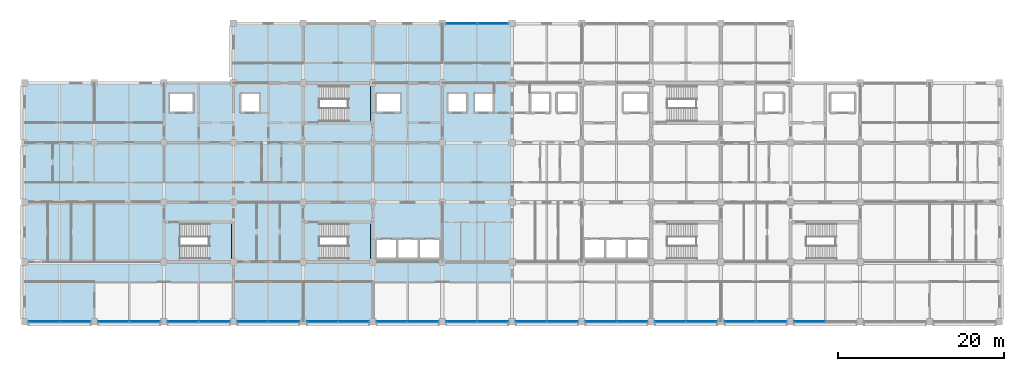
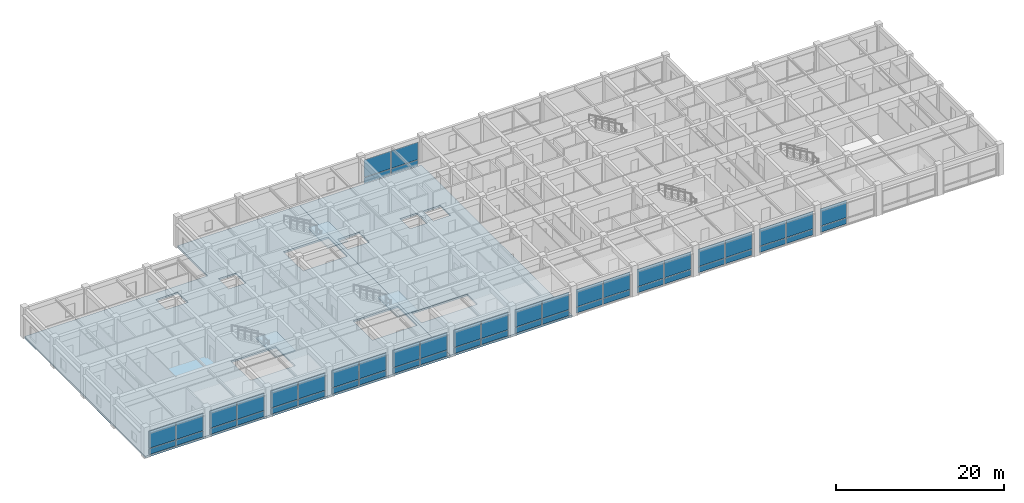
# One storey, part 10 of 30: 50 plates, 5 slabs, 16 elements without a shape of their own.
"""IFC4 building model written with IfcOpenShell, lengths in metres."""

from ifc_helpers import new_model, si_unit, direction, frame, origin, origin_2d, place, context, subcontext, project, spatial, polyline, rectangle, outline, extrude, material, layer, layer_set, type_object, element, aggregate, save


model = new_model("IFC4")

# Units and contexts
model_context = context("Model", 3, precision=1e-05, world=origin(), true_north=direction((0.0, 1.0)))
body_context = subcontext(model_context, "Body", "Model", "MODEL_VIEW")
ifc_project = project(units=[si_unit("LENGTHUNIT", "METRE"), si_unit("AREAUNIT", "SQUARE_METRE"), si_unit("VOLUMEUNIT", "CUBIC_METRE"), si_unit("PLANEANGLEUNIT", "RADIAN"), si_unit("MASSUNIT", "GRAM", prefix="KILO")], contexts=[model_context])

# Site, building, storey
site_placement = place(None, origin())
site = spatial("IfcSite", under=ifc_project, at=site_placement, CompositionType="ELEMENT")
building_placement = place(site_placement, origin())
building = spatial("IfcBuilding", under=site, at=building_placement, Name="Chengyuan Square Courthouse", CompositionType="ELEMENT")
storey_placement = place(building_placement, frame((0.0, 0.0, 26.10009765625)))
storey = spatial("IfcBuildingStorey", under=building, at=storey_placement, Name="L06", CompositionType="ELEMENT", Elevation=26.10009765625)

# Curtain wall, plates
ifc_material_1 = material(Name="Unitised Aluminium and Triple Low-E Glass", Category="aluminium")
ifc_layer_1 = layer(ifc_material_1, 0.219970703125)
ifc_layer_set_1 = layer_set([ifc_layer_1], Name="Unitised Aluminium and Triple Low-E Glass")
curtain_wall_type = type_object("IfcCurtainWallType", Name="CW-16", PredefinedType="USERDEFINED", material=ifc_layer_set_1)
curtain_wall_1_placement = place(storey_placement, origin())
curtain_wall_1 = element("IfcCurtainWall", 1, at=curtain_wall_1_placement, inside=storey, type_object=curtain_wall_type, Name="Unitised Curtain Wall CW-L06-183", ObjectType="UNITISED CURTAIN WALL", PredefinedType="USERDEFINED")
ifc_material_2 = material(Name="Triple Low-E Insulating Glass", Category="glass")
ifc_layer_2 = layer(ifc_material_2, 0.052001953125)
ifc_layer_set_2 = layer_set([ifc_layer_2], Name="Triple Low-E Insulating Glass")
plate_type = type_object("IfcPlateType", Name="CWP-04", PredefinedType="CURTAIN_PANEL", material=ifc_layer_set_2)
plate_1_placement = place(storey_placement, frame((27.52001953125, 79.199951171875, 0.079833984375), z_axis=(0.0, 0.0, 1.0), x_axis=(1.0, 0.0, 0.0)))
plate_1 = element("IfcPlate", 2, at=plate_1_placement, type_object=plate_type, Name="CW-16 panel 1.1", PredefinedType="CURTAIN_PANEL", context=body_context, shape_type="SweptSolid", body=[
    extrude(rectangle(XDim=3.679931640625, YDim=0.052001953125, at=origin_2d()), origin(), (0.0, 0.0, 1.0), 0.830078125),
])
plate_2_placement = place(storey_placement, frame((27.52001953125, 79.199951171875, 0.989990234375), z_axis=(0.0, 0.0, 1.0), x_axis=(1.0, 0.0, 0.0)))
plate_2 = element("IfcPlate", 3, at=plate_2_placement, type_object=plate_type, Name="CW-16 panel 1.2", PredefinedType="CURTAIN_PANEL", context=body_context, shape_type="SweptSolid", body=[
    extrude(rectangle(XDim=3.679931640625, YDim=0.052001953125, at=origin_2d()), origin(), (0.0, 0.0, 1.0), 2.52001953125),
])
plate_3_placement = place(storey_placement, frame((31.280029296875, 79.199951171875, 0.079833984375), z_axis=(0.0, 0.0, 1.0), x_axis=(1.0, 0.0, 0.0)))
plate_3 = element("IfcPlate", 4, at=plate_3_placement, type_object=plate_type, Name="CW-16 panel 2.1", PredefinedType="CURTAIN_PANEL", context=body_context, shape_type="SweptSolid", body=[
    extrude(rectangle(XDim=3.679931640625, YDim=0.052001953125, at=origin_2d()), origin(), (0.0, 0.0, 1.0), 0.830078125),
])
plate_4_placement = place(storey_placement, frame((31.280029296875, 79.199951171875, 0.989990234375), z_axis=(0.0, 0.0, 1.0), x_axis=(1.0, 0.0, 0.0)))
plate_4 = element("IfcPlate", 5, at=plate_4_placement, type_object=plate_type, Name="CW-16 panel 2.2", PredefinedType="CURTAIN_PANEL", context=body_context, shape_type="SweptSolid", body=[
    extrude(rectangle(XDim=3.679931640625, YDim=0.052001953125, at=origin_2d()), origin(), (0.0, 0.0, 1.0), 2.52001953125),
])
aggregate(curtain_wall_1, [plate_1, plate_2, plate_3, plate_4])

curtain_wall_2_placement = place(storey_placement, origin())
curtain_wall_2 = element("IfcCurtainWall", 6, at=curtain_wall_2_placement, inside=storey, type_object=curtain_wall_type, Name="Unitised Curtain Wall CW-L06-184", ObjectType="UNITISED CURTAIN WALL", PredefinedType="USERDEFINED")
plate_5_placement = place(storey_placement, frame((35.919921875, 79.199951171875, 0.079833984375), z_axis=(0.0, 0.0, 1.0), x_axis=(1.0, 0.0, 0.0)))
plate_5 = element("IfcPlate", 7, at=plate_5_placement, type_object=plate_type, Name="CW-16 panel 1.1", PredefinedType="CURTAIN_PANEL", context=body_context, shape_type="SweptSolid", body=[
    extrude(rectangle(XDim=3.679931640625, YDim=0.052001953125, at=origin_2d()), origin(), (0.0, 0.0, 1.0), 0.830078125),
])
plate_6_placement = place(storey_placement, frame((35.919921875, 79.199951171875, 0.989990234375), z_axis=(0.0, 0.0, 1.0), x_axis=(1.0, 0.0, 0.0)))
plate_6 = element("IfcPlate", 8, at=plate_6_placement, type_object=plate_type, Name="CW-16 panel 1.2", PredefinedType="CURTAIN_PANEL", context=body_context, shape_type="SweptSolid", body=[
    extrude(rectangle(XDim=3.679931640625, YDim=0.052001953125, at=origin_2d()), origin(), (0.0, 0.0, 1.0), 2.52001953125),
])
plate_7_placement = place(storey_placement, frame((39.679931640625, 79.199951171875, 0.079833984375), z_axis=(0.0, 0.0, 1.0), x_axis=(1.0, 0.0, 0.0)))
plate_7 = element("IfcPlate", 9, at=plate_7_placement, type_object=plate_type, Name="CW-16 panel 2.1", PredefinedType="CURTAIN_PANEL", context=body_context, shape_type="SweptSolid", body=[
    extrude(rectangle(XDim=3.679931640625, YDim=0.052001953125, at=origin_2d()), origin(), (0.0, 0.0, 1.0), 0.830078125),
])
plate_8_placement = place(storey_placement, frame((39.679931640625, 79.199951171875, 0.989990234375), z_axis=(0.0, 0.0, 1.0), x_axis=(1.0, 0.0, 0.0)))
plate_8 = element("IfcPlate", 10, at=plate_8_placement, type_object=plate_type, Name="CW-16 panel 2.2", PredefinedType="CURTAIN_PANEL", context=body_context, shape_type="SweptSolid", body=[
    extrude(rectangle(XDim=3.679931640625, YDim=0.052001953125, at=origin_2d()), origin(), (0.0, 0.0, 1.0), 2.52001953125),
])
aggregate(curtain_wall_2, [plate_5, plate_6, plate_7, plate_8])

curtain_wall_3_placement = place(storey_placement, origin())
curtain_wall_3 = element("IfcCurtainWall", 11, at=curtain_wall_3_placement, inside=storey, type_object=curtain_wall_type, Name="Unitised Curtain Wall CW-L06-185", ObjectType="UNITISED CURTAIN WALL", PredefinedType="USERDEFINED")
plate_9_placement = place(storey_placement, frame((44.320068359375, 79.199951171875, 0.079833984375), z_axis=(0.0, 0.0, 1.0), x_axis=(1.0, 0.0, 0.0)))
plate_9 = element("IfcPlate", 12, at=plate_9_placement, type_object=plate_type, Name="CW-16 panel 1.1", PredefinedType="CURTAIN_PANEL", context=body_context, shape_type="SweptSolid", body=[
    extrude(rectangle(XDim=3.679931640625, YDim=0.052001953125, at=origin_2d()), origin(), (0.0, 0.0, 1.0), 0.830078125),
])
plate_10_placement = place(storey_placement, frame((44.320068359375, 79.199951171875, 0.989990234375), z_axis=(0.0, 0.0, 1.0), x_axis=(1.0, 0.0, 0.0)))
plate_10 = element("IfcPlate", 13, at=plate_10_placement, type_object=plate_type, Name="CW-16 panel 1.2", PredefinedType="CURTAIN_PANEL", context=body_context, shape_type="SweptSolid", body=[
    extrude(rectangle(XDim=3.679931640625, YDim=0.052001953125, at=origin_2d()), origin(), (0.0, 0.0, 1.0), 2.52001953125),
])
plate_11_placement = place(storey_placement, frame((48.080078125, 79.199951171875, 0.079833984375), z_axis=(0.0, 0.0, 1.0), x_axis=(1.0, 0.0, 0.0)))
plate_11 = element("IfcPlate", 14, at=plate_11_placement, type_object=plate_type, Name="CW-16 panel 2.1", PredefinedType="CURTAIN_PANEL", context=body_context, shape_type="SweptSolid", body=[
    extrude(rectangle(XDim=3.679931640625, YDim=0.052001953125, at=origin_2d()), origin(), (0.0, 0.0, 1.0), 0.830078125),
])
plate_12_placement = place(storey_placement, frame((48.080078125, 79.199951171875, 0.989990234375), z_axis=(0.0, 0.0, 1.0), x_axis=(1.0, 0.0, 0.0)))
plate_12 = element("IfcPlate", 15, at=plate_12_placement, type_object=plate_type, Name="CW-16 panel 2.2", PredefinedType="CURTAIN_PANEL", context=body_context, shape_type="SweptSolid", body=[
    extrude(rectangle(XDim=3.679931640625, YDim=0.052001953125, at=origin_2d()), origin(), (0.0, 0.0, 1.0), 2.52001953125),
])
aggregate(curtain_wall_3, [plate_9, plate_10, plate_11, plate_12])

curtain_wall_4_placement = place(storey_placement, origin())
curtain_wall_4 = element("IfcCurtainWall", 16, at=curtain_wall_4_placement, inside=storey, type_object=curtain_wall_type, Name="Unitised Curtain Wall CW-L06-186", ObjectType="UNITISED CURTAIN WALL", PredefinedType="USERDEFINED")
plate_13_placement = place(storey_placement, frame((52.719970703125, 79.199951171875, 0.079833984375), z_axis=(0.0, 0.0, 1.0), x_axis=(1.0, 0.0, 0.0)))
plate_13 = element("IfcPlate", 17, at=plate_13_placement, type_object=plate_type, Name="CW-16 panel 1.1", PredefinedType="CURTAIN_PANEL", context=body_context, shape_type="SweptSolid", body=[
    extrude(rectangle(XDim=3.679931640625, YDim=0.052001953125, at=origin_2d()), origin(), (0.0, 0.0, 1.0), 0.830078125),
])
plate_14_placement = place(storey_placement, frame((52.719970703125, 79.199951171875, 0.989990234375), z_axis=(0.0, 0.0, 1.0), x_axis=(1.0, 0.0, 0.0)))
plate_14 = element("IfcPlate", 18, at=plate_14_placement, type_object=plate_type, Name="CW-16 panel 1.2", PredefinedType="CURTAIN_PANEL", context=body_context, shape_type="SweptSolid", body=[
    extrude(rectangle(XDim=3.679931640625, YDim=0.052001953125, at=origin_2d()), origin(), (0.0, 0.0, 1.0), 2.52001953125),
])
plate_15_placement = place(storey_placement, frame((56.47998046875, 79.199951171875, 0.079833984375), z_axis=(0.0, 0.0, 1.0), x_axis=(1.0, 0.0, 0.0)))
plate_15 = element("IfcPlate", 19, at=plate_15_placement, type_object=plate_type, Name="CW-16 panel 2.1", PredefinedType="CURTAIN_PANEL", context=body_context, shape_type="SweptSolid", body=[
    extrude(rectangle(XDim=3.679931640625, YDim=0.052001953125, at=origin_2d()), origin(), (0.0, 0.0, 1.0), 0.830078125),
])
plate_16_placement = place(storey_placement, frame((56.47998046875, 79.199951171875, 0.989990234375), z_axis=(0.0, 0.0, 1.0), x_axis=(1.0, 0.0, 0.0)))
plate_16 = element("IfcPlate", 20, at=plate_16_placement, type_object=plate_type, Name="CW-16 panel 2.2", PredefinedType="CURTAIN_PANEL", context=body_context, shape_type="SweptSolid", body=[
    extrude(rectangle(XDim=3.679931640625, YDim=0.052001953125, at=origin_2d()), origin(), (0.0, 0.0, 1.0), 2.52001953125),
])
aggregate(curtain_wall_4, [plate_13, plate_14, plate_15, plate_16])

curtain_wall_5_placement = place(storey_placement, origin())
curtain_wall_5 = element("IfcCurtainWall", 21, at=curtain_wall_5_placement, inside=storey, type_object=curtain_wall_type, Name="Unitised Curtain Wall CW-L06-187", ObjectType="UNITISED CURTAIN WALL", PredefinedType="USERDEFINED")
plate_17_placement = place(storey_placement, frame((61.1201171875, 79.199951171875, 0.079833984375), z_axis=(0.0, 0.0, 1.0), x_axis=(1.0, 0.0, 0.0)))
plate_17 = element("IfcPlate", 22, at=plate_17_placement, type_object=plate_type, Name="CW-16 panel 1.1", PredefinedType="CURTAIN_PANEL", context=body_context, shape_type="SweptSolid", body=[
    extrude(rectangle(XDim=3.679931640625, YDim=0.052001953125, at=origin_2d()), origin(), (0.0, 0.0, 1.0), 0.830078125),
])
plate_18_placement = place(storey_placement, frame((61.1201171875, 79.199951171875, 0.989990234375), z_axis=(0.0, 0.0, 1.0), x_axis=(1.0, 0.0, 0.0)))
plate_18 = element("IfcPlate", 23, at=plate_18_placement, type_object=plate_type, Name="CW-16 panel 1.2", PredefinedType="CURTAIN_PANEL", context=body_context, shape_type="SweptSolid", body=[
    extrude(rectangle(XDim=3.679931640625, YDim=0.052001953125, at=origin_2d()), origin(), (0.0, 0.0, 1.0), 2.52001953125),
])
plate_19_placement = place(storey_placement, frame((64.8798828125, 79.199951171875, 0.079833984375), z_axis=(0.0, 0.0, 1.0), x_axis=(1.0, 0.0, 0.0)))
plate_19 = element("IfcPlate", 24, at=plate_19_placement, type_object=plate_type, Name="CW-16 panel 2.1", PredefinedType="CURTAIN_PANEL", context=body_context, shape_type="SweptSolid", body=[
    extrude(rectangle(XDim=3.679931640625, YDim=0.052001953125, at=origin_2d()), origin(), (0.0, 0.0, 1.0), 0.830078125),
])
plate_20_placement = place(storey_placement, frame((64.8798828125, 79.199951171875, 0.989990234375), z_axis=(0.0, 0.0, 1.0), x_axis=(1.0, 0.0, 0.0)))
plate_20 = element("IfcPlate", 25, at=plate_20_placement, type_object=plate_type, Name="CW-16 panel 2.2", PredefinedType="CURTAIN_PANEL", context=body_context, shape_type="SweptSolid", body=[
    extrude(rectangle(XDim=3.679931640625, YDim=0.052001953125, at=origin_2d()), origin(), (0.0, 0.0, 1.0), 2.52001953125),
])
aggregate(curtain_wall_5, [plate_17, plate_18, plate_19, plate_20])

curtain_wall_6_placement = place(storey_placement, origin())
curtain_wall_6 = element("IfcCurtainWall", 26, at=curtain_wall_6_placement, inside=storey, type_object=curtain_wall_type, Name="Unitised Curtain Wall CW-L06-188", ObjectType="UNITISED CURTAIN WALL", PredefinedType="USERDEFINED")
plate_21_placement = place(storey_placement, frame((69.52001953125, 79.199951171875, 0.079833984375), z_axis=(0.0, 0.0, 1.0), x_axis=(1.0, 0.0, 0.0)))
plate_21 = element("IfcPlate", 27, at=plate_21_placement, type_object=plate_type, Name="CW-16 panel 1.1", PredefinedType="CURTAIN_PANEL", context=body_context, shape_type="SweptSolid", body=[
    extrude(rectangle(XDim=3.679931640625, YDim=0.052001953125, at=origin_2d()), origin(), (0.0, 0.0, 1.0), 0.830078125),
])
plate_22_placement = place(storey_placement, frame((69.52001953125, 79.199951171875, 0.989990234375), z_axis=(0.0, 0.0, 1.0), x_axis=(1.0, 0.0, 0.0)))
plate_22 = element("IfcPlate", 28, at=plate_22_placement, type_object=plate_type, Name="CW-16 panel 1.2", PredefinedType="CURTAIN_PANEL", context=body_context, shape_type="SweptSolid", body=[
    extrude(rectangle(XDim=3.679931640625, YDim=0.052001953125, at=origin_2d()), origin(), (0.0, 0.0, 1.0), 2.52001953125),
])
plate_23_placement = place(storey_placement, frame((73.280029296875, 79.199951171875, 0.079833984375), z_axis=(0.0, 0.0, 1.0), x_axis=(1.0, 0.0, 0.0)))
plate_23 = element("IfcPlate", 29, at=plate_23_placement, type_object=plate_type, Name="CW-16 panel 2.1", PredefinedType="CURTAIN_PANEL", context=body_context, shape_type="SweptSolid", body=[
    extrude(rectangle(XDim=3.679931640625, YDim=0.052001953125, at=origin_2d()), origin(), (0.0, 0.0, 1.0), 0.830078125),
])
plate_24_placement = place(storey_placement, frame((73.280029296875, 79.199951171875, 0.989990234375), z_axis=(0.0, 0.0, 1.0), x_axis=(1.0, 0.0, 0.0)))
plate_24 = element("IfcPlate", 30, at=plate_24_placement, type_object=plate_type, Name="CW-16 panel 2.2", PredefinedType="CURTAIN_PANEL", context=body_context, shape_type="SweptSolid", body=[
    extrude(rectangle(XDim=3.679931640625, YDim=0.052001953125, at=origin_2d()), origin(), (0.0, 0.0, 1.0), 2.52001953125),
])
aggregate(curtain_wall_6, [plate_21, plate_22, plate_23, plate_24])

curtain_wall_7_placement = place(storey_placement, origin())
curtain_wall_7 = element("IfcCurtainWall", 31, at=curtain_wall_7_placement, inside=storey, type_object=curtain_wall_type, Name="Unitised Curtain Wall CW-L06-189", ObjectType="UNITISED CURTAIN WALL", PredefinedType="USERDEFINED")
plate_25_placement = place(storey_placement, frame((77.919921875, 79.199951171875, 0.079833984375), z_axis=(0.0, 0.0, 1.0), x_axis=(1.0, 0.0, 0.0)))
plate_25 = element("IfcPlate", 32, at=plate_25_placement, type_object=plate_type, Name="CW-16 panel 1.1", PredefinedType="CURTAIN_PANEL", context=body_context, shape_type="SweptSolid", body=[
    extrude(rectangle(XDim=3.679931640625, YDim=0.052001953125, at=origin_2d()), origin(), (0.0, 0.0, 1.0), 0.830078125),
])
plate_26_placement = place(storey_placement, frame((77.919921875, 79.199951171875, 0.989990234375), z_axis=(0.0, 0.0, 1.0), x_axis=(1.0, 0.0, 0.0)))
plate_26 = element("IfcPlate", 33, at=plate_26_placement, type_object=plate_type, Name="CW-16 panel 1.2", PredefinedType="CURTAIN_PANEL", context=body_context, shape_type="SweptSolid", body=[
    extrude(rectangle(XDim=3.679931640625, YDim=0.052001953125, at=origin_2d()), origin(), (0.0, 0.0, 1.0), 2.52001953125),
])
plate_27_placement = place(storey_placement, frame((81.679931640625, 79.199951171875, 0.079833984375), z_axis=(0.0, 0.0, 1.0), x_axis=(1.0, 0.0, 0.0)))
plate_27 = element("IfcPlate", 34, at=plate_27_placement, type_object=plate_type, Name="CW-16 panel 2.1", PredefinedType="CURTAIN_PANEL", context=body_context, shape_type="SweptSolid", body=[
    extrude(rectangle(XDim=3.679931640625, YDim=0.052001953125, at=origin_2d()), origin(), (0.0, 0.0, 1.0), 0.830078125),
])
plate_28_placement = place(storey_placement, frame((81.679931640625, 79.199951171875, 0.989990234375), z_axis=(0.0, 0.0, 1.0), x_axis=(1.0, 0.0, 0.0)))
plate_28 = element("IfcPlate", 35, at=plate_28_placement, type_object=plate_type, Name="CW-16 panel 2.2", PredefinedType="CURTAIN_PANEL", context=body_context, shape_type="SweptSolid", body=[
    extrude(rectangle(XDim=3.679931640625, YDim=0.052001953125, at=origin_2d()), origin(), (0.0, 0.0, 1.0), 2.52001953125),
])
aggregate(curtain_wall_7, [plate_25, plate_26, plate_27, plate_28])

curtain_wall_8_placement = place(storey_placement, origin())
curtain_wall_8 = element("IfcCurtainWall", 36, at=curtain_wall_8_placement, inside=storey, type_object=curtain_wall_type, Name="Unitised Curtain Wall CW-L06-190", ObjectType="UNITISED CURTAIN WALL", PredefinedType="USERDEFINED")
plate_29_placement = place(storey_placement, frame((77.919921875, 115.199951171875, 0.079833984375), z_axis=(0.0, 0.0, 1.0), x_axis=(1.0, 0.0, 0.0)))
plate_29 = element("IfcPlate", 37, at=plate_29_placement, type_object=plate_type, Name="CW-16 panel 1.1", PredefinedType="CURTAIN_PANEL", context=body_context, shape_type="SweptSolid", body=[
    extrude(rectangle(XDim=3.679931640625, YDim=0.052001953125, at=origin_2d()), origin(), (0.0, 0.0, 1.0), 0.830078125),
])
plate_30_placement = place(storey_placement, frame((77.919921875, 115.199951171875, 0.989990234375), z_axis=(0.0, 0.0, 1.0), x_axis=(1.0, 0.0, 0.0)))
plate_30 = element("IfcPlate", 38, at=plate_30_placement, type_object=plate_type, Name="CW-16 panel 1.2", PredefinedType="CURTAIN_PANEL", context=body_context, shape_type="SweptSolid", body=[
    extrude(rectangle(XDim=3.679931640625, YDim=0.052001953125, at=origin_2d()), origin(), (0.0, 0.0, 1.0), 2.52001953125),
])
plate_31_placement = place(storey_placement, frame((81.679931640625, 115.199951171875, 0.079833984375), z_axis=(0.0, 0.0, 1.0), x_axis=(1.0, 0.0, 0.0)))
plate_31 = element("IfcPlate", 39, at=plate_31_placement, type_object=plate_type, Name="CW-16 panel 2.1", PredefinedType="CURTAIN_PANEL", context=body_context, shape_type="SweptSolid", body=[
    extrude(rectangle(XDim=3.679931640625, YDim=0.052001953125, at=origin_2d()), origin(), (0.0, 0.0, 1.0), 0.830078125),
])
plate_32_placement = place(storey_placement, frame((81.679931640625, 115.199951171875, 0.989990234375), z_axis=(0.0, 0.0, 1.0), x_axis=(1.0, 0.0, 0.0)))
plate_32 = element("IfcPlate", 40, at=plate_32_placement, type_object=plate_type, Name="CW-16 panel 2.2", PredefinedType="CURTAIN_PANEL", context=body_context, shape_type="SweptSolid", body=[
    extrude(rectangle(XDim=3.679931640625, YDim=0.052001953125, at=origin_2d()), origin(), (0.0, 0.0, 1.0), 2.52001953125),
])
aggregate(curtain_wall_8, [plate_29, plate_30, plate_31, plate_32])

curtain_wall_9_placement = place(storey_placement, origin())
curtain_wall_9 = element("IfcCurtainWall", 41, at=curtain_wall_9_placement, inside=storey, type_object=curtain_wall_type, Name="Unitised Curtain Wall CW-L06-191", ObjectType="UNITISED CURTAIN WALL", PredefinedType="USERDEFINED")
plate_33_placement = place(storey_placement, frame((86.320068359375, 79.199951171875, 0.079833984375), z_axis=(0.0, 0.0, 1.0), x_axis=(1.0, 0.0, 0.0)))
plate_33 = element("IfcPlate", 42, at=plate_33_placement, type_object=plate_type, Name="CW-16 panel 1.1", PredefinedType="CURTAIN_PANEL", context=body_context, shape_type="SweptSolid", body=[
    extrude(rectangle(XDim=3.679931640625, YDim=0.052001953125, at=origin_2d()), origin(), (0.0, 0.0, 1.0), 0.830078125),
])
plate_34_placement = place(storey_placement, frame((86.320068359375, 79.199951171875, 0.989990234375), z_axis=(0.0, 0.0, 1.0), x_axis=(1.0, 0.0, 0.0)))
plate_34 = element("IfcPlate", 43, at=plate_34_placement, type_object=plate_type, Name="CW-16 panel 1.2", PredefinedType="CURTAIN_PANEL", context=body_context, shape_type="SweptSolid", body=[
    extrude(rectangle(XDim=3.679931640625, YDim=0.052001953125, at=origin_2d()), origin(), (0.0, 0.0, 1.0), 2.52001953125),
])
plate_35_placement = place(storey_placement, frame((90.080078125, 79.199951171875, 0.079833984375), z_axis=(0.0, 0.0, 1.0), x_axis=(1.0, 0.0, 0.0)))
plate_35 = element("IfcPlate", 44, at=plate_35_placement, type_object=plate_type, Name="CW-16 panel 2.1", PredefinedType="CURTAIN_PANEL", context=body_context, shape_type="SweptSolid", body=[
    extrude(rectangle(XDim=3.679931640625, YDim=0.052001953125, at=origin_2d()), origin(), (0.0, 0.0, 1.0), 0.830078125),
])
plate_36_placement = place(storey_placement, frame((90.080078125, 79.199951171875, 0.989990234375), z_axis=(0.0, 0.0, 1.0), x_axis=(1.0, 0.0, 0.0)))
plate_36 = element("IfcPlate", 45, at=plate_36_placement, type_object=plate_type, Name="CW-16 panel 2.2", PredefinedType="CURTAIN_PANEL", context=body_context, shape_type="SweptSolid", body=[
    extrude(rectangle(XDim=3.679931640625, YDim=0.052001953125, at=origin_2d()), origin(), (0.0, 0.0, 1.0), 2.52001953125),
])
aggregate(curtain_wall_9, [plate_33, plate_34, plate_35, plate_36])

curtain_wall_10_placement = place(storey_placement, origin())
curtain_wall_10 = element("IfcCurtainWall", 46, at=curtain_wall_10_placement, inside=storey, type_object=curtain_wall_type, Name="Unitised Curtain Wall CW-L06-192", ObjectType="UNITISED CURTAIN WALL", PredefinedType="USERDEFINED")
plate_37_placement = place(storey_placement, frame((94.719970703125, 79.199951171875, 0.079833984375), z_axis=(0.0, 0.0, 1.0), x_axis=(1.0, 0.0, 0.0)))
plate_37 = element("IfcPlate", 47, at=plate_37_placement, type_object=plate_type, Name="CW-16 panel 1.1", PredefinedType="CURTAIN_PANEL", context=body_context, shape_type="SweptSolid", body=[
    extrude(rectangle(XDim=3.679931640625, YDim=0.052001953125, at=origin_2d()), origin(), (0.0, 0.0, 1.0), 0.830078125),
])
plate_38_placement = place(storey_placement, frame((94.719970703125, 79.199951171875, 0.989990234375), z_axis=(0.0, 0.0, 1.0), x_axis=(1.0, 0.0, 0.0)))
plate_38 = element("IfcPlate", 48, at=plate_38_placement, type_object=plate_type, Name="CW-16 panel 1.2", PredefinedType="CURTAIN_PANEL", context=body_context, shape_type="SweptSolid", body=[
    extrude(rectangle(XDim=3.679931640625, YDim=0.052001953125, at=origin_2d()), origin(), (0.0, 0.0, 1.0), 2.52001953125),
])
plate_39_placement = place(storey_placement, frame((98.47998046875, 79.199951171875, 0.079833984375), z_axis=(0.0, 0.0, 1.0), x_axis=(1.0, 0.0, 0.0)))
plate_39 = element("IfcPlate", 49, at=plate_39_placement, type_object=plate_type, Name="CW-16 panel 2.1", PredefinedType="CURTAIN_PANEL", context=body_context, shape_type="SweptSolid", body=[
    extrude(rectangle(XDim=3.679931640625, YDim=0.052001953125, at=origin_2d()), origin(), (0.0, 0.0, 1.0), 0.830078125),
])
plate_40_placement = place(storey_placement, frame((98.47998046875, 79.199951171875, 0.989990234375), z_axis=(0.0, 0.0, 1.0), x_axis=(1.0, 0.0, 0.0)))
plate_40 = element("IfcPlate", 50, at=plate_40_placement, type_object=plate_type, Name="CW-16 panel 2.2", PredefinedType="CURTAIN_PANEL", context=body_context, shape_type="SweptSolid", body=[
    extrude(rectangle(XDim=3.679931640625, YDim=0.052001953125, at=origin_2d()), origin(), (0.0, 0.0, 1.0), 2.52001953125),
])
aggregate(curtain_wall_10, [plate_37, plate_38, plate_39, plate_40])

curtain_wall_11_placement = place(storey_placement, origin())
curtain_wall_11 = element("IfcCurtainWall", 51, at=curtain_wall_11_placement, inside=storey, type_object=curtain_wall_type, Name="Unitised Curtain Wall CW-L06-194", ObjectType="UNITISED CURTAIN WALL", PredefinedType="USERDEFINED")
plate_41_placement = place(storey_placement, frame((103.1201171875, 79.199951171875, 0.079833984375), z_axis=(0.0, 0.0, 1.0), x_axis=(1.0, 0.0, 0.0)))
plate_41 = element("IfcPlate", 52, at=plate_41_placement, type_object=plate_type, Name="CW-16 panel 1.1", PredefinedType="CURTAIN_PANEL", context=body_context, shape_type="SweptSolid", body=[
    extrude(rectangle(XDim=3.679931640625, YDim=0.052001953125, at=origin_2d()), origin(), (0.0, 0.0, 1.0), 0.830078125),
])
plate_42_placement = place(storey_placement, frame((103.1201171875, 79.199951171875, 0.989990234375), z_axis=(0.0, 0.0, 1.0), x_axis=(1.0, 0.0, 0.0)))
plate_42 = element("IfcPlate", 53, at=plate_42_placement, type_object=plate_type, Name="CW-16 panel 1.2", PredefinedType="CURTAIN_PANEL", context=body_context, shape_type="SweptSolid", body=[
    extrude(rectangle(XDim=3.679931640625, YDim=0.052001953125, at=origin_2d()), origin(), (0.0, 0.0, 1.0), 2.52001953125),
])
plate_43_placement = place(storey_placement, frame((106.8798828125, 79.199951171875, 0.079833984375), z_axis=(0.0, 0.0, 1.0), x_axis=(1.0, 0.0, 0.0)))
plate_43 = element("IfcPlate", 54, at=plate_43_placement, type_object=plate_type, Name="CW-16 panel 2.1", PredefinedType="CURTAIN_PANEL", context=body_context, shape_type="SweptSolid", body=[
    extrude(rectangle(XDim=3.679931640625, YDim=0.052001953125, at=origin_2d()), origin(), (0.0, 0.0, 1.0), 0.830078125),
])
plate_44_placement = place(storey_placement, frame((106.8798828125, 79.199951171875, 0.989990234375), z_axis=(0.0, 0.0, 1.0), x_axis=(1.0, 0.0, 0.0)))
plate_44 = element("IfcPlate", 55, at=plate_44_placement, type_object=plate_type, Name="CW-16 panel 2.2", PredefinedType="CURTAIN_PANEL", context=body_context, shape_type="SweptSolid", body=[
    extrude(rectangle(XDim=3.679931640625, YDim=0.052001953125, at=origin_2d()), origin(), (0.0, 0.0, 1.0), 2.52001953125),
])
aggregate(curtain_wall_11, [plate_41, plate_42, plate_43, plate_44])

curtain_wall_12_placement = place(storey_placement, origin())
curtain_wall_12 = element("IfcCurtainWall", 56, at=curtain_wall_12_placement, inside=storey, type_object=curtain_wall_type, Name="Unitised Curtain Wall CW-L06-195", ObjectType="UNITISED CURTAIN WALL", PredefinedType="USERDEFINED")
plate_45_placement = place(storey_placement, frame((111.52001953125, 79.199951171875, 0.079833984375), z_axis=(0.0, 0.0, 1.0), x_axis=(1.0, 0.0, 0.0)))
plate_45 = element("IfcPlate", 57, at=plate_45_placement, type_object=plate_type, Name="CW-16 panel 1.1", PredefinedType="CURTAIN_PANEL", context=body_context, shape_type="SweptSolid", body=[
    extrude(rectangle(XDim=3.679931640625, YDim=0.052001953125, at=origin_2d()), origin(), (0.0, 0.0, 1.0), 0.830078125),
])
plate_46_placement = place(storey_placement, frame((111.52001953125, 79.199951171875, 0.989990234375), z_axis=(0.0, 0.0, 1.0), x_axis=(1.0, 0.0, 0.0)))
plate_46 = element("IfcPlate", 58, at=plate_46_placement, type_object=plate_type, Name="CW-16 panel 1.2", PredefinedType="CURTAIN_PANEL", context=body_context, shape_type="SweptSolid", body=[
    extrude(rectangle(XDim=3.679931640625, YDim=0.052001953125, at=origin_2d()), origin(), (0.0, 0.0, 1.0), 2.52001953125),
])
plate_47_placement = place(storey_placement, frame((115.280029296875, 79.199951171875, 0.079833984375), z_axis=(0.0, 0.0, 1.0), x_axis=(1.0, 0.0, 0.0)))
plate_47 = element("IfcPlate", 59, at=plate_47_placement, type_object=plate_type, Name="CW-16 panel 2.1", PredefinedType="CURTAIN_PANEL", context=body_context, shape_type="SweptSolid", body=[
    extrude(rectangle(XDim=3.679931640625, YDim=0.052001953125, at=origin_2d()), origin(), (0.0, 0.0, 1.0), 0.830078125),
])
plate_48_placement = place(storey_placement, frame((115.280029296875, 79.199951171875, 0.989990234375), z_axis=(0.0, 0.0, 1.0), x_axis=(1.0, 0.0, 0.0)))
plate_48 = element("IfcPlate", 60, at=plate_48_placement, type_object=plate_type, Name="CW-16 panel 2.2", PredefinedType="CURTAIN_PANEL", context=body_context, shape_type="SweptSolid", body=[
    extrude(rectangle(XDim=3.679931640625, YDim=0.052001953125, at=origin_2d()), origin(), (0.0, 0.0, 1.0), 2.52001953125),
])
aggregate(curtain_wall_12, [plate_45, plate_46, plate_47, plate_48])

curtain_wall_13_placement = place(storey_placement, origin())
curtain_wall_13 = element("IfcCurtainWall", 61, at=curtain_wall_13_placement, inside=storey, type_object=curtain_wall_type, Name="Unitised Curtain Wall CW-L06-197", ObjectType="UNITISED CURTAIN WALL", PredefinedType="USERDEFINED")
plate_49_placement = place(storey_placement, frame((119.919921875, 79.199951171875, 0.079833984375), z_axis=(0.0, 0.0, 1.0), x_axis=(1.0, 0.0, 0.0)))
plate_49 = element("IfcPlate", 62, at=plate_49_placement, type_object=plate_type, Name="CW-16 panel 1.1", PredefinedType="CURTAIN_PANEL", context=body_context, shape_type="SweptSolid", body=[
    extrude(rectangle(XDim=3.679931640625, YDim=0.052001953125, at=origin_2d()), origin(), (0.0, 0.0, 1.0), 0.830078125),
])
plate_50_placement = place(storey_placement, frame((119.919921875, 79.199951171875, 0.989990234375), z_axis=(0.0, 0.0, 1.0), x_axis=(1.0, 0.0, 0.0)))
plate_50 = element("IfcPlate", 63, at=plate_50_placement, type_object=plate_type, Name="CW-16 panel 1.2", PredefinedType="CURTAIN_PANEL", context=body_context, shape_type="SweptSolid", body=[
    extrude(rectangle(XDim=3.679931640625, YDim=0.052001953125, at=origin_2d()), origin(), (0.0, 0.0, 1.0), 2.52001953125),
])
aggregate(curtain_wall_13, [plate_49, plate_50])

# Stair, slab
ifc_material_3 = material(Name="Concrete C40", Category="concrete")
stair_type_1 = type_object("IfcStairType", Name="ST-TYPE-01", PredefinedType="HALF_TURN_STAIR", material=ifc_material_3)
stair_1_placement = place(storey_placement, origin())
stair_1 = element("IfcStair", 64, at=stair_1_placement, inside=storey, type_object=stair_type_1, Name="Smoke-Proof Exit Stair ST-1 (L06 to L07)", PredefinedType="HALF_TURN_STAIR")
ifc_layer_3 = layer(ifc_material_3, 0.179931640625)
ifc_layer_set_3 = layer_set([ifc_layer_3], Name="Concrete C40")
slab_type_1 = type_object("IfcSlabType", Name="SL-LND2", PredefinedType="LANDING", material=ifc_layer_set_3)
slab_1_placement = place(storey_placement, frame((0.0, 0.0, 2.06982421875)))
slab_1 = element("IfcSlab", 65, at=slab_1_placement, type_object=slab_type_1, Name="ST-1 landing 1", PredefinedType="LANDING", context=body_context, shape_type="SweptSolid", body=[
    extrude(outline(polyline([(64.169921875, 103.159912109375), (66.93994140625, 103.159912109375), (66.93994140625, 107.840087890625), (64.169921875, 107.840087890625), (64.169921875, 103.159912109375)])), origin(), (0.0, 0.0, 1.0), 0.18017578125),
])
aggregate(stair_1, [slab_1])

stair_type_2 = type_object("IfcStairType", Name="ST-TYPE-03", PredefinedType="HALF_TURN_STAIR", material=ifc_material_3)
stair_2_placement = place(storey_placement, origin())
stair_2 = element("IfcStair", 66, at=stair_2_placement, inside=storey, type_object=stair_type_2, Name="Smoke-Proof Exit Stair ST-3 (L06 to L07)", PredefinedType="HALF_TURN_STAIR")
slab_2_placement = place(storey_placement, frame((0.0, 0.0, 2.06982421875)))
slab_2 = element("IfcSlab", 67, at=slab_2_placement, type_object=slab_type_1, Name="ST-3 landing 1", PredefinedType="LANDING", context=body_context, shape_type="SweptSolid", body=[
    extrude(outline(polyline([(64.169921875, 86.56005859375), (66.93994140625, 86.56005859375), (66.93994140625, 91.239990234375), (64.169921875, 91.239990234375), (64.169921875, 86.56005859375)])), origin(), (0.0, 0.0, 1.0), 0.18017578125),
])
aggregate(stair_2, [slab_2])

stair_type_3 = type_object("IfcStairType", Name="ST-TYPE-05", PredefinedType="HALF_TURN_STAIR", material=ifc_material_3)
stair_3_placement = place(storey_placement, origin())
stair_3 = element("IfcStair", 68, at=stair_3_placement, inside=storey, type_object=stair_type_3, Name="Smoke-Proof Exit Stair ST-5 (L06 to L07)", PredefinedType="HALF_TURN_STAIR")
slab_3_placement = place(storey_placement, frame((0.0, 0.0, 2.06982421875)))
slab_3 = element("IfcSlab", 69, at=slab_3_placement, type_object=slab_type_1, Name="ST-5 landing 1", PredefinedType="LANDING", context=body_context, shape_type="SweptSolid", body=[
    extrude(outline(polyline([(47.3701171875, 86.56005859375), (50.139892578125, 86.56005859375), (50.139892578125, 91.239990234375), (47.3701171875, 91.239990234375), (47.3701171875, 86.56005859375)])), origin(), (0.0, 0.0, 1.0), 0.18017578125),
])
aggregate(stair_3, [slab_3])

# Slabs
ifc_material_4 = material(Name="Post-tensioned Concrete C50", Category="concrete")
ifc_layer_4 = layer(ifc_material_4, 0.260009765625)
ifc_layer_set_4 = layer_set([ifc_layer_4], Name="Post-tensioned Concrete C50")
slab_type_2 = type_object("IfcSlabType", Name="SL-PT26", PredefinedType="FLOOR", material=ifc_layer_set_4)
slab_4_placement = place(storey_placement, frame((0.0, 0.0, -0.260009765625)))
element("IfcSlab", 70, at=slab_4_placement, inside=storey, type_object=slab_type_2, Name="Suspended Floor Slab SL-L06-01", PredefinedType="FLOOR", context=body_context, shape_type="SweptSolid", body=[
    extrude(outline(polyline([(25.199951171875, 79.199951171875), (25.199951171875, 86.39990234375), (25.199951171875, 93.60009765625), (25.199951171875, 100.800048828125), (25.199951171875, 108.0), (33.60009765625, 108.0), (42.0, 108.0), (50.39990234375, 108.0), (50.39990234375, 115.199951171875), (58.800048828125, 115.199951171875), (67.199951171875, 115.199951171875), (67.199951171875, 79.199951171875), (58.800048828125, 79.199951171875), (50.39990234375, 79.199951171875), (42.0, 79.199951171875), (33.60009765625, 79.199951171875), (25.199951171875, 79.199951171875)]), holes=[polyline([(50.10009765625, 91.199951171875), (43.949951171875, 91.199951171875), (43.949951171875, 86.60009765625), (50.10009765625, 86.60009765625), (50.10009765625, 91.199951171875)]), polyline([(66.89990234375, 91.199951171875), (60.75, 91.199951171875), (60.75, 86.60009765625), (66.89990234375, 86.60009765625), (66.89990234375, 91.199951171875)]), polyline([(60.75, 107.800048828125), (60.75, 103.199951171875), (66.89990234375, 103.199951171875), (66.89990234375, 107.800048828125), (60.75, 107.800048828125)]), polyline([(45.60009765625, 106.800048828125), (42.60009765625, 106.800048828125), (42.60009765625, 104.39990234375), (45.60009765625, 104.39990234375), (45.60009765625, 106.800048828125)]), polyline([(53.60009765625, 106.800048828125), (51.199951171875, 106.800048828125), (51.199951171875, 104.39990234375), (53.60009765625, 104.39990234375), (53.60009765625, 106.800048828125)])]), origin(), (0.0, 0.0, 1.0), 0.260009765625),
])
slab_5_placement = place(storey_placement, frame((0.0, 0.0, -0.260009765625)))
element("IfcSlab", 71, at=slab_5_placement, inside=storey, type_object=slab_type_2, Name="Suspended Floor Slab SL-L06-02", PredefinedType="FLOOR", context=body_context, shape_type="SweptSolid", body=[
    extrude(outline(polyline([(75.60009765625, 115.199951171875), (84.0, 115.199951171875), (84.0, 79.199951171875), (75.60009765625, 79.199951171875), (67.199951171875, 79.199951171875), (67.199951171875, 115.199951171875), (75.60009765625, 115.199951171875)]), holes=[polyline([(67.60009765625, 89.199951171875), (67.60009765625, 86.800048828125), (70.14990234375, 86.800048828125), (72.75, 86.800048828125), (75.300048828125, 86.800048828125), (75.300048828125, 89.199951171875), (72.75, 89.199951171875), (70.14990234375, 89.199951171875), (67.60009765625, 89.199951171875)]), polyline([(67.60009765625, 106.800048828125), (67.60009765625, 104.39990234375), (70.60009765625, 104.39990234375), (70.60009765625, 106.800048828125), (67.60009765625, 106.800048828125)]), polyline([(78.60009765625, 106.800048828125), (76.199951171875, 106.800048828125), (76.199951171875, 104.39990234375), (78.60009765625, 104.39990234375), (78.60009765625, 106.800048828125)]), polyline([(81.800048828125, 106.800048828125), (79.39990234375, 106.800048828125), (79.39990234375, 104.39990234375), (81.800048828125, 104.39990234375), (81.800048828125, 106.800048828125)])]), origin(), (0.0, 0.0, 1.0), 0.260009765625),
])

save(model, "model.ifc")
